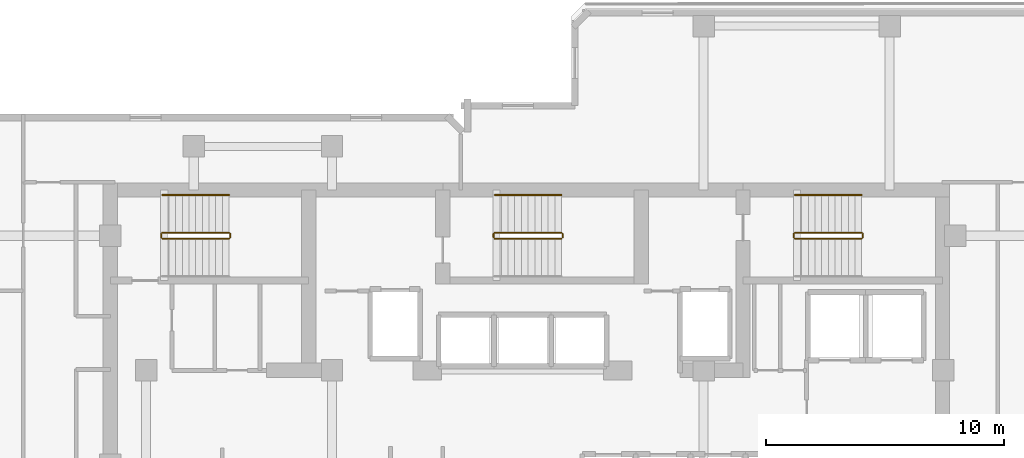
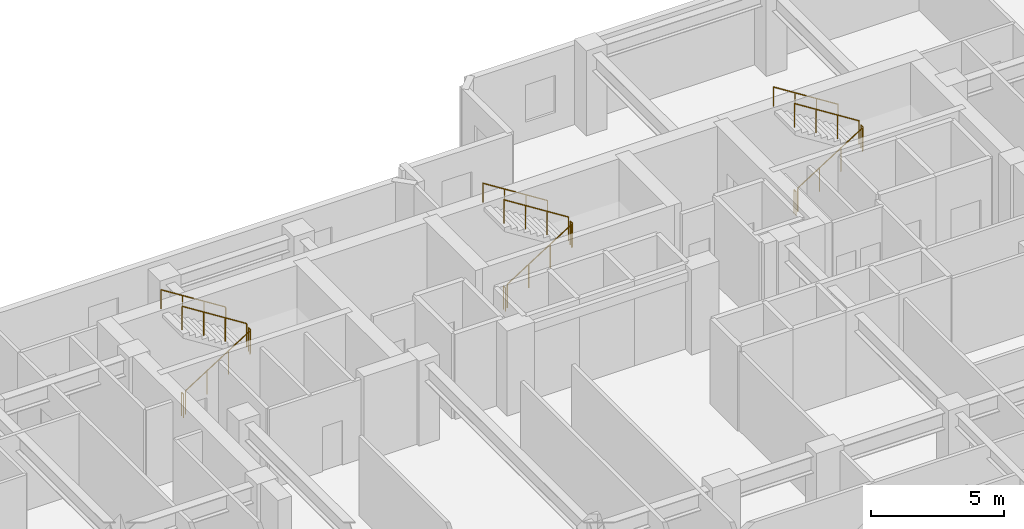
# One storey, part 10 of 10: 15 railings.
"""IFC4 building model written with IfcOpenShell, lengths in metres."""

import ifcopenshell
import ifcopenshell.guid

model = None  # the IFC model being written
_history = None  # IfcOwnerHistory: only IFC2X3 demands one
_inside = {}  # id of a spatial element -> (the spatial element, [elements in it])
_under = {}  # id of a project, library or spatial element -> (it, [spatial elements below it])
_declared = {}  # id of a project -> (the project, [libraries it declares])
_typed = {}  # id of a type object -> (the type object, [elements of that type])
_made_of = {}  # id of a material, layer set ... -> (it, [elements and type objects made of it])


def new_model(schema):
    """Start an empty IFC model of exactly this schema.

    Asked for "IFC4X3", IfcOpenShell would pick the latest addendum, in which some entities
    have other attributes; the version numbers below select the first issue.
    IFC2X3 requires an IfcOwnerHistory on every rooted entity: one is made here for all.
    """
    global model, _history
    if schema == "IFC4X3":
        model = ifcopenshell.file(schema_version=(4, 3, 0, 0))
    else:
        model = ifcopenshell.file(schema=schema)
    _inside.clear()
    _under.clear()
    _declared.clear()
    _typed.clear()
    _made_of.clear()
    _history = None
    if model.schema == "IFC2X3":
        org = make("IfcOrganization", Name="unknown")
        user = make(
            "IfcPersonAndOrganization",
            ThePerson=make("IfcPerson", FamilyName="unknown"),
            TheOrganization=org,
        )
        app = make(
            "IfcApplication",
            ApplicationDeveloper=org,
            Version="unknown",
            ApplicationFullName="unknown",
            ApplicationIdentifier="unknown",
        )
        _history = make(
            "IfcOwnerHistory",
            OwningUser=user,
            OwningApplication=app,
            ChangeAction="ADDED",
            CreationDate=0,
        )
    return model


def make(cls, **values):
    """One entity of the class cls with the attributes given. An attribute that is None is left unset."""
    return model.create_entity(
        cls, **{name: value for name, value in values.items() if value is not None}
    )


def rooted(cls, **values):
    """An entity with a GlobalId (a new one), such as an element, a storey or a relation."""
    return make(cls, GlobalId=ifcopenshell.guid.new(), OwnerHistory=_history, **values)


def si_unit(unit_type, name, prefix=None):
    """IfcSIUnit, for example si_unit("LENGTHUNIT", "METRE", prefix="MILLI")."""
    return make("IfcSIUnit", UnitType=unit_type, Prefix=prefix, Name=name)


def assignment(units):
    """IfcUnitAssignment: the units of a project."""
    return None if units is None else make("IfcUnitAssignment", Units=units)


def point(xyz):
    """IfcCartesianPoint."""
    return None if xyz is None else make("IfcCartesianPoint", Coordinates=xyz)


def direction(xyz):
    """IfcDirection."""
    return None if xyz is None else make("IfcDirection", DirectionRatios=xyz)


def frame(location, z_axis=None, x_axis=None):
    """IfcAxis2Placement3D, a coordinate frame: its origin and axes. An axis left out is left unset."""
    return make(
        "IfcAxis2Placement3D",
        Location=point(location),
        Axis=direction(z_axis),
        RefDirection=direction(x_axis),
    )


def frame_2d(location, x_axis=None):
    """IfcAxis2Placement2D, a coordinate frame in the plane: its origin and x axis."""
    return make(
        "IfcAxis2Placement2D", Location=point(location), RefDirection=direction(x_axis)
    )


def origin():
    """The frame at (0, 0, 0) with its axes left unset."""
    return frame((0.0, 0.0, 0.0))


def origin_2d():
    """The frame at (0, 0) in the plane with its x axis left unset."""
    return frame_2d((0.0, 0.0))


def place(relative_to, where):
    """IfcLocalPlacement: puts the frame where relative to a parent placement (None: the world)."""
    return make(
        "IfcLocalPlacement", PlacementRelTo=relative_to, RelativePlacement=where
    )


def context(
    kind, dimensions, precision=None, world=None, true_north=None, identifier=None
):
    """IfcGeometricRepresentationContext, for example the 3D "Model" context."""
    return make(
        "IfcGeometricRepresentationContext",
        ContextIdentifier=identifier,
        ContextType=kind,
        CoordinateSpaceDimension=dimensions,
        Precision=precision,
        WorldCoordinateSystem=world,
        TrueNorth=true_north,
    )


def subcontext(parent, identifier, kind, view, scale=None):
    """IfcGeometricRepresentationSubContext, for example "Body" below "Model"."""
    return make(
        "IfcGeometricRepresentationSubContext",
        ContextIdentifier=identifier,
        ContextType=kind,
        ParentContext=parent,
        TargetScale=scale,
        TargetView=view,
    )


def project(units=None, contexts=None):
    """IfcProject with its units and contexts."""
    return rooted(
        "IfcProject",
        Name="project",
        RepresentationContexts=contexts,
        UnitsInContext=assignment(units),
    )


def spatial(cls, under=None, at=None, **own):
    """A site, building, storey or space (cls), placed at a placement, below another one or the project."""
    s = rooted(cls, ObjectPlacement=at, **own)
    if under is not None:
        _under.setdefault(under.id(), (under, []))[1].append(s)
    return s


def profile(cls, at=None, kind="AREA", **sizes):
    """A parametric profile (cls). Its sizes go by their IFC names, for example OverallWidth=200.0."""
    return make(cls, ProfileType=kind, Position=at, **sizes)


def circle(**sizes):
    """IfcCircleProfileDef."""
    return profile("IfcCircleProfileDef", **sizes)


def extrude(swept, where, along, depth):
    """IfcExtrudedAreaSolid: the profile swept, set in the frame where, extruded along a direction by depth."""
    return make(
        "IfcExtrudedAreaSolid",
        SweptArea=swept,
        Position=where,
        ExtrudedDirection=direction(along),
        Depth=depth,
    )


def shape(context_of_items, identifier, shape_type, items):
    """IfcShapeRepresentation: the items that make up one representation, for example the "Body"."""
    return make(
        "IfcShapeRepresentation",
        ContextOfItems=context_of_items,
        RepresentationIdentifier=identifier,
        RepresentationType=shape_type,
        Items=items,
    )


def material(Name=None, Category=None):
    """IfcMaterial."""
    return make("IfcMaterial", Name=Name, Category=Category)


def made_of(thing, what):
    """Note that an element or type object is made of a material, layer set ...; save() writes the relation."""
    if what is not None:
        _made_of.setdefault(what.id(), (what, []))[1].append(thing)
    return thing


def type_object(cls, material=None, **own):
    """A type object (cls), such as IfcWallType, which elements share."""
    return made_of(rooted(cls, **own), material)


def element(
    cls,
    number,
    at=None,
    inside=None,
    cuts=None,
    type_object=None,
    material=None,
    context=None,
    identifier="Body",
    shape_type=None,
    held_by="IfcProductDefinitionShape",
    body=None,
    shapes=None,
    **own,
):
    """One element of the class cls, such as IfcWall. Its Tag is "e" and its number.

    at: its placement. inside: the storey or other place that contains it. cuts: it is an
    opening in that element (IfcRelVoidsElement). A single representation is given by context,
    identifier, shape_type and body (its items); several are given by shapes. held_by: the class
    of the entity that holds the representations. save() writes the other relations.
    """
    e = rooted(cls, Tag="e%d" % number, ObjectPlacement=at, **own)
    if body is not None:
        shapes = [shape(context, identifier, shape_type, body)]
    if shapes is not None:
        e.Representation = make(held_by, Representations=shapes)
    if inside is not None:
        _inside.setdefault(inside.id(), (inside, []))[1].append(e)
    if cuts is not None:
        rooted(
            "IfcRelVoidsElement", RelatingBuildingElement=cuts, RelatedOpeningElement=e
        )
    if type_object is not None:
        _typed.setdefault(type_object.id(), (type_object, []))[1].append(e)
    return made_of(e, material)


def aggregate(whole, parts):
    """IfcRelAggregates: a whole, such as a stair, and the parts it consists of."""
    return rooted("IfcRelAggregates", RelatingObject=whole, RelatedObjects=parts)


def save(model, path):
    """Write the relations noted so far, then the file.

    IfcRelAggregates (storeys below a building ...), IfcRelContainedInSpatialStructure (elements
    in a storey), IfcRelDefinesByType, IfcRelAssociatesMaterial and IfcRelDeclares: one each for
    every whole, place, type object, material and project.
    """
    for whole, parts in _under.values():
        aggregate(whole, parts)
    for where, things in _inside.values():
        rooted(
            "IfcRelContainedInSpatialStructure",
            RelatedElements=things,
            RelatingStructure=where,
        )
    for kind, things in _typed.values():
        rooted("IfcRelDefinesByType", RelatedObjects=things, RelatingType=kind)
    for what, things in _made_of.values():
        rooted("IfcRelAssociatesMaterial", RelatedObjects=things, RelatingMaterial=what)
    for by, libraries in _declared.values():
        rooted("IfcRelDeclares", RelatingContext=by, RelatedDefinitions=libraries)
    model.write(path)


model = new_model("IFC4")

# Units and contexts
model_context = context("Model", 3, precision=1e-05, world=origin(), true_north=direction((0.0, 1.0)))
body_context = subcontext(model_context, "Body", "Model", "MODEL_VIEW")
ifc_project = project(units=[si_unit("LENGTHUNIT", "METRE"), si_unit("AREAUNIT", "SQUARE_METRE"), si_unit("VOLUMEUNIT", "CUBIC_METRE"), si_unit("PLANEANGLEUNIT", "RADIAN"), si_unit("MASSUNIT", "GRAM", prefix="KILO")], contexts=[model_context])

# Site, building, storey
site_placement = place(None, origin())
site = spatial("IfcSite", under=ifc_project, at=site_placement, CompositionType="ELEMENT")
building_placement = place(site_placement, origin())
building = spatial("IfcBuilding", under=site, at=building_placement, Name="Kestravale Grand Hotel", CompositionType="ELEMENT")
storey_placement = place(building_placement, frame((0.0, 0.0, 189.0)))
storey = spatial("IfcBuildingStorey", under=building, at=storey_placement, Name="L47", CompositionType="ELEMENT", Elevation=189.0)

# Railings
ifc_material_1 = material(Name="Painted tubular steel stair well guard", Category="steel")
railing_type_1 = type_object("IfcRailingType", Name="RL-ST-GRD1100", PredefinedType="GUARDRAIL", material=ifc_material_1)
railing_1_placement = place(storey_placement, frame((24.080078125, 38.280029296875, 0.17724609375)))
element("IfcRailing", 1, at=railing_1_placement, inside=storey, type_object=railing_type_1, Name="L47 ST-1 stair guard 1", PredefinedType="GUARDRAIL", context=body_context, shape_type="SweptSolid", body=[
    extrude(circle(Radius=0.02392578125, at=origin_2d()), frame((0.0, 0.0, 1.076171875), z_axis=(0.844887892834, 0.0, 0.53494340686), x_axis=(0.0, 1.0, 0.0)), (0.0, 0.0, 1.0), 3.313720703125),
    extrude(circle(Radius=0.02099609375, at=origin_2d()), origin(), (0.0, 0.0, 1.0), 1.052001953125),
    extrude(circle(Radius=0.02099609375, at=origin_2d()), frame((0.933349609375, 0.0, 0.5908203125)), (0.0, 0.0, 1.0), 1.052001953125),
    extrude(circle(Radius=0.02099609375, at=origin_2d()), frame((1.866455078125, 0.0, 1.181884765625)), (0.0, 0.0, 1.0), 1.052001953125),
    extrude(circle(Radius=0.02099609375, at=origin_2d()), frame((2.7998046875, 0.0, 1.772705078125)), (0.0, 0.0, 1.0), 1.052001953125),
])
railing_2_placement = place(storey_placement, frame((26.929931640625, 38.330078125, 1.949951171875)))
element("IfcRailing", 2, at=railing_2_placement, inside=storey, type_object=railing_type_1, Name="L47 ST-1 stair guard 2", PredefinedType="GUARDRAIL", context=body_context, shape_type="SweptSolid", body=[
    extrude(circle(Radius=0.02392578125, at=origin_2d()), frame((0.0, 0.0, 1.076171875), z_axis=(0.0, 1.0, 0.0), x_axis=(-1.0, 0.0, 0.0)), (0.0, 0.0, 1.0), 0.14990234375),
    extrude(circle(Radius=0.02099609375, at=origin_2d()), origin(), (0.0, 0.0, 1.0), 1.052001953125),
    extrude(circle(Radius=0.02099609375, at=origin_2d()), frame((0.0, 0.14990234375, 0.0)), (0.0, 0.0, 1.0), 1.052001953125),
])
railing_3_placement = place(storey_placement, frame((26.8798828125, 38.530029296875, 2.127197265625)))
element("IfcRailing", 3, at=railing_3_placement, inside=storey, type_object=railing_type_1, Name="L47 ST-1 stair guard 3", PredefinedType="GUARDRAIL", context=body_context, shape_type="SweptSolid", body=[
    extrude(circle(Radius=0.02392578125, at=origin_2d()), frame((0.0, 0.0, 1.076171875), z_axis=(-0.844887892834, 0.0, 0.53494340686), x_axis=(0.0, -1.0, 0.0)), (0.0, 0.0, 1.0), 3.313720703125),
    extrude(circle(Radius=0.02099609375, at=origin_2d()), origin(), (0.0, 0.0, 1.0), 1.052001953125),
    extrude(circle(Radius=0.02099609375, at=origin_2d()), frame((-0.933349609375, 0.0, 0.5908203125)), (0.0, 0.0, 1.0), 1.052001953125),
    extrude(circle(Radius=0.02099609375, at=origin_2d()), frame((-1.866455078125, 0.0, 1.181884765625)), (0.0, 0.0, 1.0), 1.052001953125),
    extrude(circle(Radius=0.02099609375, at=origin_2d()), frame((-2.7998046875, 0.0, 1.772705078125)), (0.0, 0.0, 1.0), 1.052001953125),
])
railing_4_placement = place(storey_placement, frame((24.030029296875, 38.330078125, 0.0)))
element("IfcRailing", 4, at=railing_4_placement, inside=storey, type_object=railing_type_1, Name="L47 ST-1 stair guard 4", PredefinedType="GUARDRAIL", context=body_context, shape_type="SweptSolid", body=[
    extrude(circle(Radius=0.02392578125, at=origin_2d()), frame((0.0, 0.0, 1.076171875), z_axis=(0.0, 1.0, 0.0), x_axis=(-1.0, 0.0, 0.0)), (0.0, 0.0, 1.0), 0.14990234375),
    extrude(circle(Radius=0.02099609375, at=origin_2d()), origin(), (0.0, 0.0, 1.0), 1.052001953125),
    extrude(circle(Radius=0.02099609375, at=origin_2d()), frame((0.0, 0.14990234375, 0.0)), (0.0, 0.0, 1.0), 1.052001953125),
])
railing_5_placement = place(storey_placement, frame((38.030029296875, 38.280029296875, 0.17724609375)))
element("IfcRailing", 5, at=railing_5_placement, inside=storey, type_object=railing_type_1, Name="L47 ST-2 stair guard 1", PredefinedType="GUARDRAIL", context=body_context, shape_type="SweptSolid", body=[
    extrude(circle(Radius=0.02392578125, at=origin_2d()), frame((0.0, 0.0, 1.076171875), z_axis=(0.844908973607, 0.0, 0.534910110503), x_axis=(0.0, 1.0, 0.0)), (0.0, 0.0, 1.0), 3.31396484375),
    extrude(circle(Radius=0.02099609375, at=origin_2d()), origin(), (0.0, 0.0, 1.0), 1.052001953125),
    extrude(circle(Radius=0.02099609375, at=origin_2d()), frame((0.933349609375, 0.0, 0.5908203125)), (0.0, 0.0, 1.0), 1.052001953125),
    extrude(circle(Radius=0.02099609375, at=origin_2d()), frame((1.86669921875, 0.0, 1.181884765625)), (0.0, 0.0, 1.0), 1.052001953125),
    extrude(circle(Radius=0.02099609375, at=origin_2d()), frame((2.800048828125, 0.0, 1.772705078125)), (0.0, 0.0, 1.0), 1.052001953125),
])
railing_6_placement = place(storey_placement, frame((40.8798828125, 38.330078125, 1.949951171875)))
element("IfcRailing", 6, at=railing_6_placement, inside=storey, type_object=railing_type_1, Name="L47 ST-2 stair guard 2", PredefinedType="GUARDRAIL", context=body_context, shape_type="SweptSolid", body=[
    extrude(circle(Radius=0.02392578125, at=origin_2d()), frame((0.0, 0.0, 1.076171875), z_axis=(0.0, 1.0, 0.0), x_axis=(-1.0, 0.0, 0.0)), (0.0, 0.0, 1.0), 0.14990234375),
    extrude(circle(Radius=0.02099609375, at=origin_2d()), origin(), (0.0, 0.0, 1.0), 1.052001953125),
    extrude(circle(Radius=0.02099609375, at=origin_2d()), frame((0.0, 0.14990234375, 0.0)), (0.0, 0.0, 1.0), 1.052001953125),
])
railing_7_placement = place(storey_placement, frame((40.830078125, 38.530029296875, 2.127197265625)))
element("IfcRailing", 7, at=railing_7_placement, inside=storey, type_object=railing_type_1, Name="L47 ST-2 stair guard 3", PredefinedType="GUARDRAIL", context=body_context, shape_type="SweptSolid", body=[
    extrude(circle(Radius=0.02392578125, at=origin_2d()), frame((0.0, 0.0, 1.076171875), z_axis=(-0.844908973607, 0.0, 0.534910110503), x_axis=(0.0, -1.0, 0.0)), (0.0, 0.0, 1.0), 3.31396484375),
    extrude(circle(Radius=0.02099609375, at=origin_2d()), origin(), (0.0, 0.0, 1.0), 1.052001953125),
    extrude(circle(Radius=0.02099609375, at=origin_2d()), frame((-0.933349609375, 0.0, 0.5908203125)), (0.0, 0.0, 1.0), 1.052001953125),
    extrude(circle(Radius=0.02099609375, at=origin_2d()), frame((-1.86669921875, 0.0, 1.181884765625)), (0.0, 0.0, 1.0), 1.052001953125),
    extrude(circle(Radius=0.02099609375, at=origin_2d()), frame((-2.800048828125, 0.0, 1.772705078125)), (0.0, 0.0, 1.0), 1.052001953125),
])
railing_8_placement = place(storey_placement, frame((37.97998046875, 38.330078125, 0.0)))
element("IfcRailing", 8, at=railing_8_placement, inside=storey, type_object=railing_type_1, Name="L47 ST-2 stair guard 4", PredefinedType="GUARDRAIL", context=body_context, shape_type="SweptSolid", body=[
    extrude(circle(Radius=0.02392578125, at=origin_2d()), frame((0.0, 0.0, 1.076171875), z_axis=(0.0, 1.0, 0.0), x_axis=(-1.0, 0.0, 0.0)), (0.0, 0.0, 1.0), 0.14990234375),
    extrude(circle(Radius=0.02099609375, at=origin_2d()), origin(), (0.0, 0.0, 1.0), 1.052001953125),
    extrude(circle(Radius=0.02099609375, at=origin_2d()), frame((0.0, 0.14990234375, 0.0)), (0.0, 0.0, 1.0), 1.052001953125),
])
railing_9_placement = place(storey_placement, frame((50.6298828125, 38.280029296875, 0.17724609375)))
element("IfcRailing", 9, at=railing_9_placement, inside=storey, type_object=railing_type_1, Name="L47 ST-3 stair guard 1", PredefinedType="GUARDRAIL", context=body_context, shape_type="SweptSolid", body=[
    extrude(circle(Radius=0.02392578125, at=origin_2d()), frame((0.0, 0.0, 1.076171875), z_axis=(0.844908973607, 0.0, 0.534910110503), x_axis=(0.0, 1.0, 0.0)), (0.0, 0.0, 1.0), 3.31396484375),
    extrude(circle(Radius=0.02099609375, at=origin_2d()), origin(), (0.0, 0.0, 1.0), 1.052001953125),
    extrude(circle(Radius=0.02099609375, at=origin_2d()), frame((0.933349609375, 0.0, 0.5908203125)), (0.0, 0.0, 1.0), 1.052001953125),
    extrude(circle(Radius=0.02099609375, at=origin_2d()), frame((1.86669921875, 0.0, 1.181884765625)), (0.0, 0.0, 1.0), 1.052001953125),
    extrude(circle(Radius=0.02099609375, at=origin_2d()), frame((2.800048828125, 0.0, 1.772705078125)), (0.0, 0.0, 1.0), 1.052001953125),
])
railing_10_placement = place(storey_placement, frame((53.47998046875, 38.330078125, 1.949951171875)))
element("IfcRailing", 10, at=railing_10_placement, inside=storey, type_object=railing_type_1, Name="L47 ST-3 stair guard 2", PredefinedType="GUARDRAIL", context=body_context, shape_type="SweptSolid", body=[
    extrude(circle(Radius=0.02392578125, at=origin_2d()), frame((0.0, 0.0, 1.076171875), z_axis=(0.0, 1.0, 0.0), x_axis=(-1.0, 0.0, 0.0)), (0.0, 0.0, 1.0), 0.14990234375),
    extrude(circle(Radius=0.02099609375, at=origin_2d()), origin(), (0.0, 0.0, 1.0), 1.052001953125),
    extrude(circle(Radius=0.02099609375, at=origin_2d()), frame((0.0, 0.14990234375, 0.0)), (0.0, 0.0, 1.0), 1.052001953125),
])
railing_11_placement = place(storey_placement, frame((53.429931640625, 38.530029296875, 2.127197265625)))
element("IfcRailing", 11, at=railing_11_placement, inside=storey, type_object=railing_type_1, Name="L47 ST-3 stair guard 3", PredefinedType="GUARDRAIL", context=body_context, shape_type="SweptSolid", body=[
    extrude(circle(Radius=0.02392578125, at=origin_2d()), frame((0.0, 0.0, 1.076171875), z_axis=(-0.844908973607, 0.0, 0.534910110503), x_axis=(0.0, -1.0, 0.0)), (0.0, 0.0, 1.0), 3.31396484375),
    extrude(circle(Radius=0.02099609375, at=origin_2d()), origin(), (0.0, 0.0, 1.0), 1.052001953125),
    extrude(circle(Radius=0.02099609375, at=origin_2d()), frame((-0.933349609375, 0.0, 0.5908203125)), (0.0, 0.0, 1.0), 1.052001953125),
    extrude(circle(Radius=0.02099609375, at=origin_2d()), frame((-1.86669921875, 0.0, 1.181884765625)), (0.0, 0.0, 1.0), 1.052001953125),
    extrude(circle(Radius=0.02099609375, at=origin_2d()), frame((-2.800048828125, 0.0, 1.772705078125)), (0.0, 0.0, 1.0), 1.052001953125),
])
railing_12_placement = place(storey_placement, frame((50.580078125, 38.330078125, 0.0)))
element("IfcRailing", 12, at=railing_12_placement, inside=storey, type_object=railing_type_1, Name="L47 ST-3 stair guard 4", PredefinedType="GUARDRAIL", context=body_context, shape_type="SweptSolid", body=[
    extrude(circle(Radius=0.02392578125, at=origin_2d()), frame((0.0, 0.0, 1.076171875), z_axis=(0.0, 1.0, 0.0), x_axis=(-1.0, 0.0, 0.0)), (0.0, 0.0, 1.0), 0.14990234375),
    extrude(circle(Radius=0.02099609375, at=origin_2d()), origin(), (0.0, 0.0, 1.0), 1.052001953125),
    extrude(circle(Radius=0.02099609375, at=origin_2d()), frame((0.0, 0.14990234375, 0.0)), (0.0, 0.0, 1.0), 1.052001953125),
])
ifc_material_2 = material(Name="Brushed stainless steel wall handrail", Category="steel")
railing_type_2 = type_object("IfcRailingType", Name="RL-ST-HND900", PredefinedType="HANDRAIL", material=ifc_material_2)
railing_13_placement = place(storey_placement, frame((26.8798828125, 40.110107421875, 2.127197265625)))
element("IfcRailing", 13, at=railing_13_placement, inside=storey, type_object=railing_type_2, Name="L47 ST-1 stair handrail 2", PredefinedType="HANDRAIL", context=body_context, shape_type="SweptSolid", body=[
    extrude(circle(Radius=0.02392578125, at=origin_2d()), frame((0.0, 0.0, 0.8759765625), z_axis=(-0.844887892834, 0.0, 0.53494340686), x_axis=(0.0, -1.0, 0.0)), (0.0, 0.0, 1.0), 3.313720703125),
    extrude(circle(Radius=0.02099609375, at=origin_2d()), origin(), (0.0, 0.0, 1.0), 0.851806640625),
    extrude(circle(Radius=0.02099609375, at=origin_2d()), frame((-0.933349609375, 0.0, 0.5908203125)), (0.0, 0.0, 1.0), 0.851806640625),
    extrude(circle(Radius=0.02099609375, at=origin_2d()), frame((-1.866455078125, 0.0, 1.181884765625)), (0.0, 0.0, 1.0), 0.851806640625),
    extrude(circle(Radius=0.02099609375, at=origin_2d()), frame((-2.7998046875, 0.0, 1.772705078125)), (0.0, 0.0, 1.0), 0.851806640625),
])
for number, where, name in (
    (14, (40.830078125, 40.110107421875, 2.127197265625), "L47 ST-2 stair handrail 2"),
    (15, (53.429931640625, 40.110107421875, 2.127197265625), "L47 ST-3 stair handrail 2"),
):
    element("IfcRailing", number, at=place(storey_placement, frame(where)), inside=storey, type_object=railing_type_2, Name=name, PredefinedType="HANDRAIL", context=body_context, shape_type="SweptSolid", body=[
        extrude(circle(Radius=0.02392578125, at=origin_2d()), frame((0.0, 0.0, 0.8759765625), z_axis=(-0.844908973607, 0.0, 0.534910110503), x_axis=(0.0, -1.0, 0.0)), (0.0, 0.0, 1.0), 3.31396484375),
        extrude(circle(Radius=0.02099609375, at=origin_2d()), origin(), (0.0, 0.0, 1.0), 0.851806640625),
        extrude(circle(Radius=0.02099609375, at=origin_2d()), frame((-0.933349609375, 0.0, 0.5908203125)), (0.0, 0.0, 1.0), 0.851806640625),
        extrude(circle(Radius=0.02099609375, at=origin_2d()), frame((-1.86669921875, 0.0, 1.181884765625)), (0.0, 0.0, 1.0), 0.851806640625),
        extrude(circle(Radius=0.02099609375, at=origin_2d()), frame((-2.800048828125, 0.0, 1.772705078125)), (0.0, 0.0, 1.0), 0.851806640625),
    ])

save(model, "model.ifc")
